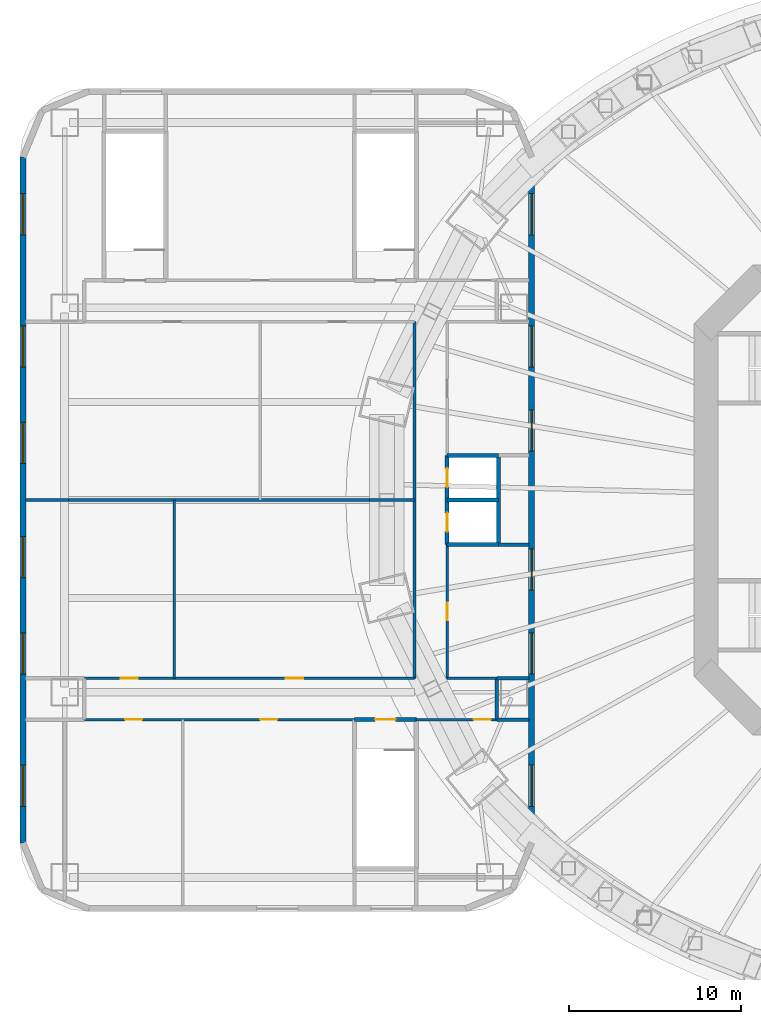
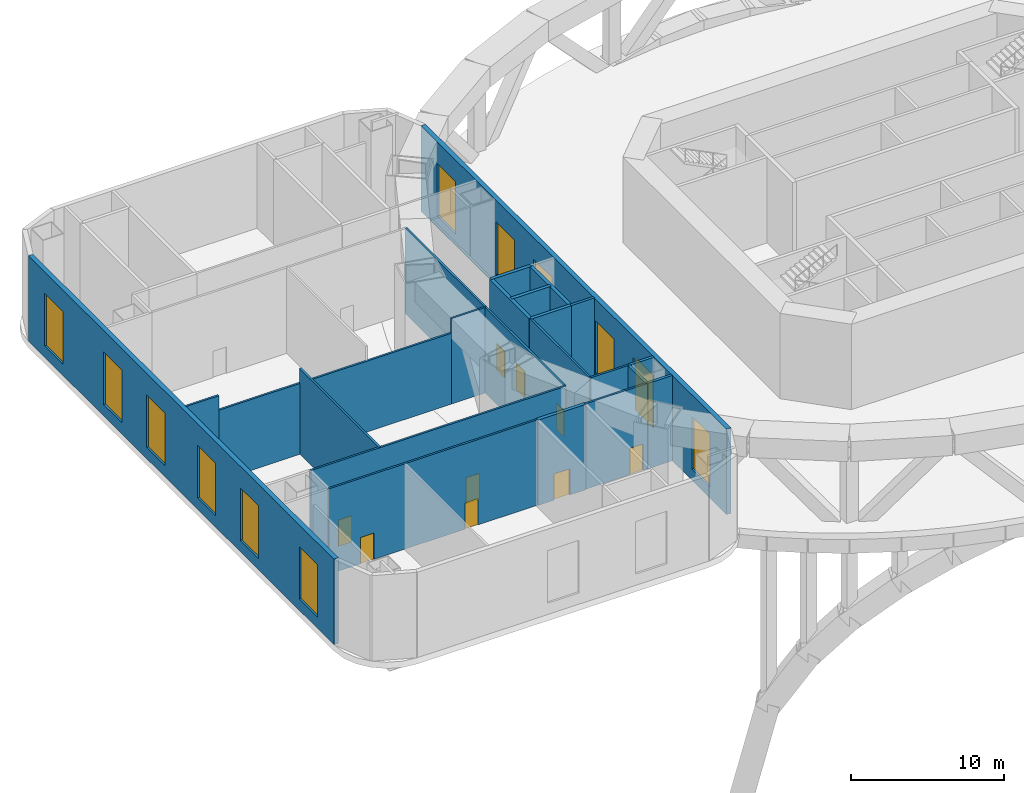
# One storey, part 7 of 13: 22 walls, 12 windows, 9 doors, 21 openings.
"""IFC4 building model written with IfcOpenShell, lengths in metres."""

import ifcopenshell
import ifcopenshell.guid

model = None  # the IFC model being written
_history = None  # IfcOwnerHistory: only IFC2X3 demands one
_inside = {}  # id of a spatial element -> (the spatial element, [elements in it])
_under = {}  # id of a project, library or spatial element -> (it, [spatial elements below it])
_declared = {}  # id of a project -> (the project, [libraries it declares])
_typed = {}  # id of a type object -> (the type object, [elements of that type])
_made_of = {}  # id of a material, layer set ... -> (it, [elements and type objects made of it])


def new_model(schema):
    """Start an empty IFC model of exactly this schema.

    Asked for "IFC4X3", IfcOpenShell would pick the latest addendum, in which some entities
    have other attributes; the version numbers below select the first issue.
    IFC2X3 requires an IfcOwnerHistory on every rooted entity: one is made here for all.
    """
    global model, _history
    if schema == "IFC4X3":
        model = ifcopenshell.file(schema_version=(4, 3, 0, 0))
    else:
        model = ifcopenshell.file(schema=schema)
    _inside.clear()
    _under.clear()
    _declared.clear()
    _typed.clear()
    _made_of.clear()
    _history = None
    if model.schema == "IFC2X3":
        org = make("IfcOrganization", Name="unknown")
        user = make(
            "IfcPersonAndOrganization",
            ThePerson=make("IfcPerson", FamilyName="unknown"),
            TheOrganization=org,
        )
        app = make(
            "IfcApplication",
            ApplicationDeveloper=org,
            Version="unknown",
            ApplicationFullName="unknown",
            ApplicationIdentifier="unknown",
        )
        _history = make(
            "IfcOwnerHistory",
            OwningUser=user,
            OwningApplication=app,
            ChangeAction="ADDED",
            CreationDate=0,
        )
    return model


def make(cls, **values):
    """One entity of the class cls with the attributes given. An attribute that is None is left unset."""
    return model.create_entity(
        cls, **{name: value for name, value in values.items() if value is not None}
    )


def rooted(cls, **values):
    """An entity with a GlobalId (a new one), such as an element, a storey or a relation."""
    return make(cls, GlobalId=ifcopenshell.guid.new(), OwnerHistory=_history, **values)


def si_unit(unit_type, name, prefix=None):
    """IfcSIUnit, for example si_unit("LENGTHUNIT", "METRE", prefix="MILLI")."""
    return make("IfcSIUnit", UnitType=unit_type, Prefix=prefix, Name=name)


def assignment(units):
    """IfcUnitAssignment: the units of a project."""
    return None if units is None else make("IfcUnitAssignment", Units=units)


def point(xyz):
    """IfcCartesianPoint."""
    return None if xyz is None else make("IfcCartesianPoint", Coordinates=xyz)


def direction(xyz):
    """IfcDirection."""
    return None if xyz is None else make("IfcDirection", DirectionRatios=xyz)


def frame(location, z_axis=None, x_axis=None):
    """IfcAxis2Placement3D, a coordinate frame: its origin and axes. An axis left out is left unset."""
    return make(
        "IfcAxis2Placement3D",
        Location=point(location),
        Axis=direction(z_axis),
        RefDirection=direction(x_axis),
    )


def frame_2d(location, x_axis=None):
    """IfcAxis2Placement2D, a coordinate frame in the plane: its origin and x axis."""
    return make(
        "IfcAxis2Placement2D", Location=point(location), RefDirection=direction(x_axis)
    )


def origin():
    """The frame at (0, 0, 0) with its axes left unset."""
    return frame((0.0, 0.0, 0.0))


def place(relative_to, where):
    """IfcLocalPlacement: puts the frame where relative to a parent placement (None: the world)."""
    return make(
        "IfcLocalPlacement", PlacementRelTo=relative_to, RelativePlacement=where
    )


def context(
    kind, dimensions, precision=None, world=None, true_north=None, identifier=None
):
    """IfcGeometricRepresentationContext, for example the 3D "Model" context."""
    return make(
        "IfcGeometricRepresentationContext",
        ContextIdentifier=identifier,
        ContextType=kind,
        CoordinateSpaceDimension=dimensions,
        Precision=precision,
        WorldCoordinateSystem=world,
        TrueNorth=true_north,
    )


def subcontext(parent, identifier, kind, view, scale=None):
    """IfcGeometricRepresentationSubContext, for example "Body" below "Model"."""
    return make(
        "IfcGeometricRepresentationSubContext",
        ContextIdentifier=identifier,
        ContextType=kind,
        ParentContext=parent,
        TargetScale=scale,
        TargetView=view,
    )


def project(units=None, contexts=None):
    """IfcProject with its units and contexts."""
    return rooted(
        "IfcProject",
        Name="project",
        RepresentationContexts=contexts,
        UnitsInContext=assignment(units),
    )


def spatial(cls, under=None, at=None, **own):
    """A site, building, storey or space (cls), placed at a placement, below another one or the project."""
    s = rooted(cls, ObjectPlacement=at, **own)
    if under is not None:
        _under.setdefault(under.id(), (under, []))[1].append(s)
    return s


def profile(cls, at=None, kind="AREA", **sizes):
    """A parametric profile (cls). Its sizes go by their IFC names, for example OverallWidth=200.0."""
    return make(cls, ProfileType=kind, Position=at, **sizes)


def rectangle(**sizes):
    """IfcRectangleProfileDef."""
    return profile("IfcRectangleProfileDef", **sizes)


def extrude(swept, where, along, depth):
    """IfcExtrudedAreaSolid: the profile swept, set in the frame where, extruded along a direction by depth."""
    return make(
        "IfcExtrudedAreaSolid",
        SweptArea=swept,
        Position=where,
        ExtrudedDirection=direction(along),
        Depth=depth,
    )


def shape(context_of_items, identifier, shape_type, items):
    """IfcShapeRepresentation: the items that make up one representation, for example the "Body"."""
    return make(
        "IfcShapeRepresentation",
        ContextOfItems=context_of_items,
        RepresentationIdentifier=identifier,
        RepresentationType=shape_type,
        Items=items,
    )


def material(Name=None, Category=None):
    """IfcMaterial."""
    return make("IfcMaterial", Name=Name, Category=Category)


def layer(
    of_material, thickness, ventilated=None, Name=None, Category=None, Priority=None
):
    """IfcMaterialLayer: one layer of a wall or slab, of a material (None: an air gap)."""
    return make(
        "IfcMaterialLayer",
        Material=of_material,
        LayerThickness=thickness,
        IsVentilated=ventilated,
        Name=Name,
        Category=Category,
        Priority=Priority,
    )


def layer_set(layers, Name=None):
    """IfcMaterialLayerSet."""
    return make("IfcMaterialLayerSet", MaterialLayers=layers, LayerSetName=Name)


def made_of(thing, what):
    """Note that an element or type object is made of a material, layer set ...; save() writes the relation."""
    if what is not None:
        _made_of.setdefault(what.id(), (what, []))[1].append(thing)
    return thing


def type_object(cls, material=None, **own):
    """A type object (cls), such as IfcWallType, which elements share."""
    return made_of(rooted(cls, **own), material)


def element(
    cls,
    number,
    at=None,
    inside=None,
    cuts=None,
    type_object=None,
    material=None,
    context=None,
    identifier="Body",
    shape_type=None,
    held_by="IfcProductDefinitionShape",
    body=None,
    shapes=None,
    **own,
):
    """One element of the class cls, such as IfcWall. Its Tag is "e" and its number.

    at: its placement. inside: the storey or other place that contains it. cuts: it is an
    opening in that element (IfcRelVoidsElement). A single representation is given by context,
    identifier, shape_type and body (its items); several are given by shapes. held_by: the class
    of the entity that holds the representations. save() writes the other relations.
    """
    e = rooted(cls, Tag="e%d" % number, ObjectPlacement=at, **own)
    if body is not None:
        shapes = [shape(context, identifier, shape_type, body)]
    if shapes is not None:
        e.Representation = make(held_by, Representations=shapes)
    if inside is not None:
        _inside.setdefault(inside.id(), (inside, []))[1].append(e)
    if cuts is not None:
        rooted(
            "IfcRelVoidsElement", RelatingBuildingElement=cuts, RelatedOpeningElement=e
        )
    if type_object is not None:
        _typed.setdefault(type_object.id(), (type_object, []))[1].append(e)
    return made_of(e, material)


def fill(opening, filler):
    """IfcRelFillsElement: the door or window that sits in an opening."""
    return rooted(
        "IfcRelFillsElement",
        RelatingOpeningElement=opening,
        RelatedBuildingElement=filler,
    )


def aggregate(whole, parts):
    """IfcRelAggregates: a whole, such as a stair, and the parts it consists of."""
    return rooted("IfcRelAggregates", RelatingObject=whole, RelatedObjects=parts)


def save(model, path):
    """Write the relations noted so far, then the file.

    IfcRelAggregates (storeys below a building ...), IfcRelContainedInSpatialStructure (elements
    in a storey), IfcRelDefinesByType, IfcRelAssociatesMaterial and IfcRelDeclares: one each for
    every whole, place, type object, material and project.
    """
    for whole, parts in _under.values():
        aggregate(whole, parts)
    for where, things in _inside.values():
        rooted(
            "IfcRelContainedInSpatialStructure",
            RelatedElements=things,
            RelatingStructure=where,
        )
    for kind, things in _typed.values():
        rooted("IfcRelDefinesByType", RelatedObjects=things, RelatingType=kind)
    for what, things in _made_of.values():
        rooted("IfcRelAssociatesMaterial", RelatedObjects=things, RelatingMaterial=what)
    for by, libraries in _declared.values():
        rooted("IfcRelDeclares", RelatingContext=by, RelatedDefinitions=libraries)
    model.write(path)


model = new_model("IFC4")

# Units and contexts
model_context = context("Model", 3, precision=1e-05, world=origin(), true_north=direction((0.0, 1.0)))
body_context = subcontext(model_context, "Body", "Model", "MODEL_VIEW")
ifc_project = project(units=[si_unit("LENGTHUNIT", "METRE"), si_unit("AREAUNIT", "SQUARE_METRE"), si_unit("VOLUMEUNIT", "CUBIC_METRE"), si_unit("PLANEANGLEUNIT", "RADIAN"), si_unit("MASSUNIT", "GRAM", prefix="KILO")], contexts=[model_context])

# Site, building, storey
site_placement = place(None, origin())
site = spatial("IfcSite", under=ifc_project, at=site_placement, CompositionType="ELEMENT")
building_placement = place(site_placement, origin())
building = spatial("IfcBuilding", under=site, at=building_placement, Name="Marenthal Gate Tower", CompositionType="ELEMENT")
storey_placement = place(building_placement, frame((0.0, 0.0, 26.0)))
storey = spatial("IfcBuildingStorey", under=building, at=storey_placement, Name="L03", CompositionType="ELEMENT", Elevation=26.0)

# Walls
ifc_material_1 = material(Name="Concrete 40 MPa", Category="concrete")
ifc_layer_1 = layer(ifc_material_1, 0.25)
ifc_layer_set_1 = layer_set([ifc_layer_1], Name="Hoistway wall 250")
wall_type_1 = type_object("IfcWallType", Name="Hoistway wall 250", PredefinedType="STANDARD", material=ifc_layer_set_1)
for number, where, z_axis, x_axis, name in (
    (1, (-31.10009765625, -2.60009765625, 0.0), (0.0, 0.0, 1.0), (1.0, 0.0, 0.0), "Hoistway wall 36"),
    (2, (-31.10009765625, 0.0, 0.0), (0.0, 0.0, 1.0), (1.0, 0.0, 0.0), "Hoistway wall 38"),
    (3, (-31.10009765625, 2.60009765625, 0.0), (0.0, 0.0, 1.0), (1.0, 0.0, 0.0), "Hoistway wall 40"),
):
    element("IfcWall", number, at=place(storey_placement, frame(where, z_axis=z_axis, x_axis=x_axis)), inside=storey, type_object=wall_type_1, Name=name, PredefinedType="STANDARD", context=body_context, shape_type="SweptSolid", body=[
        extrude(rectangle(XDim=3.0, YDim=0.25, at=frame_2d((1.5, 0.0))), origin(), (0.0, 0.0, 1.0), 6.820068359375),
    ])
wall_1_placement = place(storey_placement, frame((-28.10009765625, -2.60009765625, 0.0), z_axis=(0.0, 0.0, 1.0), x_axis=(0.0, 1.0, 0.0)))
element("IfcWall", 4, at=wall_1_placement, inside=storey, type_object=wall_type_1, Name="Hoistway wall 44", PredefinedType="STANDARD", context=body_context, shape_type="SweptSolid", body=[
    extrude(rectangle(XDim=5.2001953125, YDim=0.25, at=frame_2d((2.60009765625, 0.0))), origin(), (0.0, 0.0, 1.0), 6.820068359375),
])

# Wall, openings, doors
wall_2_placement = place(storey_placement, frame((-31.10009765625, -2.60009765625, 0.0), z_axis=(0.0, 0.0, 1.0), x_axis=(0.0, 1.0, 0.0)))
wall_2 = element("IfcWall", 5, at=wall_2_placement, inside=storey, type_object=wall_type_1, Name="Hoistway wall 45", PredefinedType="STANDARD", context=body_context, shape_type="SweptSolid", body=[
    extrude(rectangle(XDim=5.2001953125, YDim=0.25, at=frame_2d((2.60009765625, 0.0))), origin(), (0.0, 0.0, 1.0), 6.820068359375),
])
opening_1_placement = place(wall_2_placement, frame((0.75, 0.0, 0.0)))
opening_1 = element("IfcOpeningElement", 6, at=opening_1_placement, cuts=wall_2, Name="Opening LD.03", PredefinedType="OPENING", context=body_context, shape_type="SweptSolid", body=[
    extrude(rectangle(XDim=1.10009765625, YDim=2.10009765625, at=frame_2d((0.550048828125, 1.050048828125))), frame((0.0, 0.135009765625, 0.0), z_axis=(0.0, -1.0, 0.0), x_axis=(1.0, 0.0, 0.0)), (0.0, 0.0, 1.0), 0.27001953125),
])
opening_2_placement = place(wall_2_placement, frame((3.35009765625, 0.0, 0.0)))
opening_2 = element("IfcOpeningElement", 7, at=opening_2_placement, cuts=wall_2, Name="Opening LD.04", PredefinedType="OPENING", context=body_context, shape_type="SweptSolid", body=[
    extrude(rectangle(XDim=1.10009765625, YDim=2.10009765625, at=frame_2d((0.550048828125, 1.050048828125))), frame((0.0, 0.135009765625, 0.0), z_axis=(0.0, -1.0, 0.0), x_axis=(1.0, 0.0, 0.0)), (0.0, 0.0, 1.0), 0.27001953125),
])
ifc_material_2 = material(Name="Stainless steel sliding door", Category="steel")
door_type_1 = type_object("IfcDoorType", Name="Lift landing door FD 90 1100 x 2100", OperationType="DOUBLE_DOOR_SLIDING", PredefinedType="DOOR", material=ifc_material_2)
door_1_placement = place(opening_1_placement, origin())
door_1 = element("IfcDoor", 8, at=door_1_placement, inside=storey, type_object=door_type_1, Name="Lift landing door 03", OperationType="DOUBLE_DOOR_SLIDING", OverallHeight=2.10009765625, OverallWidth=1.10009765625, PredefinedType="DOOR", context=body_context, shape_type="SweptSolid", body=[
    extrude(rectangle(XDim=1.10009765625, YDim=2.10009765625, at=frame_2d((0.550048828125, 1.050048828125))), frame((0.0, 0.02490234375, 0.0), z_axis=(0.0, -1.0, 0.0), x_axis=(1.0, 0.0, 0.0)), (0.0, 0.0, 1.0), 0.050048828125),
])
fill(opening_1, door_1)
door_2_placement = place(opening_2_placement, origin())
door_2 = element("IfcDoor", 9, at=door_2_placement, inside=storey, type_object=door_type_1, Name="Lift landing door 04", OperationType="DOUBLE_DOOR_SLIDING", OverallHeight=2.10009765625, OverallWidth=1.10009765625, PredefinedType="DOOR", context=body_context, shape_type="SweptSolid", body=[
    extrude(rectangle(XDim=1.10009765625, YDim=2.10009765625, at=frame_2d((0.550048828125, 1.050048828125))), frame((0.0, 0.02490234375, 0.0), z_axis=(0.0, -1.0, 0.0), x_axis=(1.0, 0.0, 0.0)), (0.0, 0.0, 1.0), 0.050048828125),
])
fill(opening_2, door_2)

ifc_material_3 = material(Name="Gypsum board on steel studs", Category="steel")
ifc_layer_2 = layer(ifc_material_3, 0.14990234375)
ifc_layer_set_2 = layer_set([ifc_layer_2], Name="Partition 150")
wall_type_2 = type_object("IfcWallType", Name="Partition 150", PredefinedType="PARTITIONING", material=ifc_layer_set_2)
wall_3_placement = place(storey_placement, frame((-52.25, -12.800048828125, 0.0), z_axis=(0.0, 0.0, 1.0), x_axis=(1.0, 0.0, 0.0)))
wall_3 = element("IfcWall", 10, at=wall_3_placement, inside=storey, type_object=wall_type_2, Name="Partition wall 46", PredefinedType="PARTITIONING", context=body_context, shape_type="SweptSolid", body=[
    extrude(rectangle(XDim=15.7548828125, YDim=0.14990234375, at=frame_2d((7.87744140625, 0.0))), origin(), (0.0, 0.0, 1.0), 6.820068359375),
])
opening_3_placement = place(wall_3_placement, frame((10.25, 0.0, 0.0)))
opening_3 = element("IfcOpeningElement", 11, at=opening_3_placement, cuts=wall_3, Name="Opening D005.17", PredefinedType="OPENING", context=body_context, shape_type="SweptSolid", body=[
    extrude(rectangle(XDim=1.0, YDim=2.10009765625, at=frame_2d((0.5, 1.050048828125))), frame((0.0, 0.0849609375, 0.0), z_axis=(0.0, -1.0, 0.0), x_axis=(1.0, 0.0, 0.0)), (0.0, 0.0, 1.0), 0.169921875),
])
opening_4_placement = place(wall_3_placement, frame((2.37255859375, 0.0, 0.0)))
opening_4 = element("IfcOpeningElement", 12, at=opening_4_placement, cuts=wall_3, Name="Opening D005.18", PredefinedType="OPENING", context=body_context, shape_type="SweptSolid", body=[
    extrude(rectangle(XDim=1.0, YDim=2.10009765625, at=frame_2d((0.5, 1.050048828125))), frame((0.0, 0.0849609375, 0.0), z_axis=(0.0, -1.0, 0.0), x_axis=(1.0, 0.0, 0.0)), (0.0, 0.0, 1.0), 0.169921875),
])
ifc_material_4 = material(Name="Steel fire door", Category="steel")
door_type_2 = type_object("IfcDoorType", Name="Fire door FD 45 1000 x 2100", OperationType="NOTDEFINED", PredefinedType="DOOR", material=ifc_material_4)
door_3_placement = place(opening_3_placement, frame((1.0, 0.0, 0.0), z_axis=(0.0, 0.0, 1.0), x_axis=(-1.0, 0.0, 0.0)))
door_3 = element("IfcDoor", 13, at=door_3_placement, inside=storey, type_object=door_type_2, Name="Door D005.17", OperationType="SINGLE_SWING_LEFT", OverallHeight=2.10009765625, OverallWidth=1.0, PredefinedType="DOOR", context=body_context, shape_type="SweptSolid", body=[
    extrude(rectangle(XDim=1.0, YDim=2.10009765625, at=frame_2d((0.5, 1.050048828125))), frame((0.0, 0.02490234375, 0.0), z_axis=(0.0, -1.0, 0.0), x_axis=(1.0, 0.0, 0.0)), (0.0, 0.0, 1.0), 0.050048828125),
])
fill(opening_3, door_3)
door_4_placement = place(opening_4_placement, frame((1.0, 0.0, 0.0), z_axis=(0.0, 0.0, 1.0), x_axis=(-1.0, 0.0, 0.0)))
door_4 = element("IfcDoor", 14, at=door_4_placement, inside=storey, type_object=door_type_2, Name="Door D005.18", OperationType="SINGLE_SWING_LEFT", OverallHeight=2.10009765625, OverallWidth=1.0, PredefinedType="DOOR", context=body_context, shape_type="SweptSolid", body=[
    extrude(rectangle(XDim=1.0, YDim=2.10009765625, at=frame_2d((0.5, 1.050048828125))), frame((0.0, 0.02490234375, 0.0), z_axis=(0.0, -1.0, 0.0), x_axis=(1.0, 0.0, 0.0)), (0.0, 0.0, 1.0), 0.050048828125),
])
fill(opening_4, door_4)

# Wall, opening, door
wall_4_placement = place(storey_placement, frame((-32.905029296875, -12.800048828125, 0.0), z_axis=(0.0, 0.0, 1.0), x_axis=(1.0, 0.0, 0.0)))
wall_4 = element("IfcWall", 15, at=wall_4_placement, inside=storey, type_object=wall_type_2, Name="Partition wall 47", PredefinedType="PARTITIONING", context=body_context, shape_type="SweptSolid", body=[
    extrude(rectangle(XDim=4.705078125, YDim=0.14990234375, at=frame_2d((2.3525390625, 0.0))), origin(), (0.0, 0.0, 1.0), 6.820068359375),
])
opening_5_placement = place(wall_4_placement, frame((3.357421875, 0.0, 0.0)))
opening_5 = element("IfcOpeningElement", 16, at=opening_5_placement, cuts=wall_4, Name="Opening D005.22", PredefinedType="OPENING", context=body_context, shape_type="SweptSolid", body=[
    extrude(rectangle(XDim=1.0, YDim=2.10009765625, at=frame_2d((0.5, 1.050048828125))), frame((0.0, 0.0849609375, 0.0), z_axis=(0.0, -1.0, 0.0), x_axis=(1.0, 0.0, 0.0)), (0.0, 0.0, 1.0), 0.169921875),
])
door_5_placement = place(opening_5_placement, frame((1.0, 0.0, 0.0), z_axis=(0.0, 0.0, 1.0), x_axis=(-1.0, 0.0, 0.0)))
door_5 = element("IfcDoor", 17, at=door_5_placement, inside=storey, type_object=door_type_2, Name="Door D005.22", OperationType="SINGLE_SWING_LEFT", OverallHeight=2.10009765625, OverallWidth=1.0, PredefinedType="DOOR", context=body_context, shape_type="SweptSolid", body=[
    extrude(rectangle(XDim=1.0, YDim=2.10009765625, at=frame_2d((0.5, 1.050048828125))), frame((0.0, 0.02490234375, 0.0), z_axis=(0.0, -1.0, 0.0), x_axis=(1.0, 0.0, 0.0)), (0.0, 0.0, 1.0), 0.050048828125),
])
fill(opening_5, door_5)

# Wall, openings, doors
wall_5_placement = place(storey_placement, frame((-52.25, -10.39990234375, 0.0), z_axis=(0.0, 0.0, 1.0), x_axis=(1.0, 0.0, 0.0)))
wall_5 = element("IfcWall", 18, at=wall_5_placement, inside=storey, type_object=wall_type_2, Name="Partition wall 50", PredefinedType="PARTITIONING", context=body_context, shape_type="SweptSolid", body=[
    extrude(rectangle(XDim=19.2548828125, YDim=0.14990234375, at=frame_2d((9.62744140625, 0.0))), origin(), (0.0, 0.0, 1.0), 6.820068359375),
])
opening_6_placement = place(wall_5_placement, frame((11.75, 0.0, 0.0)))
opening_6 = element("IfcOpeningElement", 19, at=opening_6_placement, cuts=wall_5, Name="Opening D005.15", PredefinedType="OPENING", context=body_context, shape_type="SweptSolid", body=[
    extrude(rectangle(XDim=1.0, YDim=2.10009765625, at=frame_2d((0.5, 1.050048828125))), frame((0.0, 0.0849609375, 0.0), z_axis=(0.0, -1.0, 0.0), x_axis=(1.0, 0.0, 0.0)), (0.0, 0.0, 1.0), 0.169921875),
])
opening_7_placement = place(wall_5_placement, frame((2.12255859375, 0.0, 0.0)))
opening_7 = element("IfcOpeningElement", 20, at=opening_7_placement, cuts=wall_5, Name="Opening D005.16", PredefinedType="OPENING", context=body_context, shape_type="SweptSolid", body=[
    extrude(rectangle(XDim=1.0, YDim=2.10009765625, at=frame_2d((0.5, 1.050048828125))), frame((0.0, 0.0849609375, 0.0), z_axis=(0.0, -1.0, 0.0), x_axis=(1.0, 0.0, 0.0)), (0.0, 0.0, 1.0), 0.169921875),
])
door_6_placement = place(opening_6_placement, origin())
door_6 = element("IfcDoor", 21, at=door_6_placement, inside=storey, type_object=door_type_2, Name="Door D005.15", OperationType="SINGLE_SWING_RIGHT", OverallHeight=2.10009765625, OverallWidth=1.0, PredefinedType="DOOR", context=body_context, shape_type="SweptSolid", body=[
    extrude(rectangle(XDim=1.0, YDim=2.10009765625, at=frame_2d((0.5, 1.050048828125))), frame((0.0, 0.02490234375, 0.0), z_axis=(0.0, -1.0, 0.0), x_axis=(1.0, 0.0, 0.0)), (0.0, 0.0, 1.0), 0.050048828125),
])
fill(opening_6, door_6)
door_7_placement = place(opening_7_placement, origin())
door_7 = element("IfcDoor", 22, at=door_7_placement, inside=storey, type_object=door_type_2, Name="Door D005.16", OperationType="SINGLE_SWING_RIGHT", OverallHeight=2.10009765625, OverallWidth=1.0, PredefinedType="DOOR", context=body_context, shape_type="SweptSolid", body=[
    extrude(rectangle(XDim=1.0, YDim=2.10009765625, at=frame_2d((0.5, 1.050048828125))), frame((0.0, 0.02490234375, 0.0), z_axis=(0.0, -1.0, 0.0), x_axis=(1.0, 0.0, 0.0)), (0.0, 0.0, 1.0), 0.050048828125),
])
fill(opening_7, door_7)

# Walls
wall_6_placement = place(storey_placement, frame((-31.10498046875, -10.39990234375, 0.0), z_axis=(0.0, 0.0, 1.0), x_axis=(1.0, 0.0, 0.0)))
element("IfcWall", 23, at=wall_6_placement, inside=storey, type_object=wall_type_2, Name="Partition wall 51", PredefinedType="PARTITIONING", context=body_context, shape_type="SweptSolid", body=[
    extrude(rectangle(XDim=2.905029296875, YDim=0.14990234375, at=frame_2d((1.45263671875, 0.0))), origin(), (0.0, 0.0, 1.0), 6.820068359375),
])
wall_7_placement = place(storey_placement, frame((-55.669921875, 0.0, 0.0), z_axis=(0.0, 0.0, 1.0), x_axis=(1.0, 0.0, 0.0)))
element("IfcWall", 24, at=wall_7_placement, inside=storey, type_object=wall_type_2, Name="Partition wall 54", PredefinedType="PARTITIONING", context=body_context, shape_type="SweptSolid", body=[
    extrude(rectangle(XDim=2.494873046875, YDim=0.14990234375, at=frame_2d((1.24755859375, 0.0))), origin(), (0.0, 0.0, 1.0), 6.820068359375),
])
wall_8_placement = place(storey_placement, frame((-53.175048828125, 0.0, 0.0), z_axis=(0.0, 0.0, 1.0), x_axis=(1.0, 0.0, 0.0)))
element("IfcWall", 25, at=wall_8_placement, inside=storey, type_object=wall_type_2, Name="Partition wall 146", PredefinedType="PARTITIONING", context=body_context, shape_type="SweptSolid", body=[
    extrude(rectangle(XDim=17.553466796875, YDim=0.14990234375, at=frame_2d((8.77685546875, 0.0))), origin(), (0.0, 0.0, 1.0), 5.659912109375),
])
wall_9_placement = place(storey_placement, frame((-35.62158203125, 0.0, 0.0), z_axis=(0.0, 0.0, 1.0), x_axis=(1.0, 0.0, 0.0)))
element("IfcWall", 26, at=wall_9_placement, inside=storey, type_object=wall_type_2, Name="Partition wall 147", PredefinedType="PARTITIONING", context=body_context, shape_type="SweptSolid", body=[
    extrude(rectangle(XDim=2.62158203125, YDim=0.14990234375, at=frame_2d((1.310791015625, 0.0))), origin(), (0.0, 0.0, 1.0), 6.820068359375),
])

# Wall, opening, door
wall_10_placement = place(storey_placement, frame((-31.10009765625, -10.39990234375, 0.0), z_axis=(0.0, 0.0, 1.0), x_axis=(0.0, 1.0, 0.0)))
wall_10 = element("IfcWall", 27, at=wall_10_placement, inside=storey, type_object=wall_type_2, Name="Partition wall 70", PredefinedType="PARTITIONING", context=body_context, shape_type="SweptSolid", body=[
    extrude(rectangle(XDim=7.804931640625, YDim=0.14990234375, at=frame_2d((3.90234375, 0.0))), origin(), (0.0, 0.0, 1.0), 6.820068359375),
])
opening_8_placement = place(wall_10_placement, frame((3.39990234375, 0.0, 0.0)))
opening_8 = element("IfcOpeningElement", 28, at=opening_8_placement, cuts=wall_10, Name="Opening D005.20", PredefinedType="OPENING", context=body_context, shape_type="SweptSolid", body=[
    extrude(rectangle(XDim=1.0, YDim=2.10009765625, at=frame_2d((0.5, 1.050048828125))), frame((0.0, 0.0849609375, 0.0), z_axis=(0.0, -1.0, 0.0), x_axis=(1.0, 0.0, 0.0)), (0.0, 0.0, 1.0), 0.169921875),
])
door_8_placement = place(opening_8_placement, frame((1.0, 0.0, 0.0), z_axis=(0.0, 0.0, 1.0), x_axis=(-1.0, 0.0, 0.0)))
door_8 = element("IfcDoor", 29, at=door_8_placement, inside=storey, type_object=door_type_2, Name="Door D005.20", OperationType="SINGLE_SWING_LEFT", OverallHeight=2.10009765625, OverallWidth=1.0, PredefinedType="DOOR", context=body_context, shape_type="SweptSolid", body=[
    extrude(rectangle(XDim=1.0, YDim=2.10009765625, at=frame_2d((0.5, 1.050048828125))), frame((0.0, 0.02490234375, 0.0), z_axis=(0.0, -1.0, 0.0), x_axis=(1.0, 0.0, 0.0)), (0.0, 0.0, 1.0), 0.050048828125),
])
fill(opening_8, door_8)

# Walls
wall_11_placement = place(storey_placement, frame((-33.0, -10.39990234375, 0.0), z_axis=(0.0, 0.0, 1.0), x_axis=(0.0, 1.0, 0.0)))
element("IfcWall", 30, at=wall_11_placement, inside=storey, type_object=wall_type_2, Name="Partition wall 72", PredefinedType="PARTITIONING", context=body_context, shape_type="SweptSolid", body=[
    extrude(rectangle(XDim=20.7998046875, YDim=0.14990234375, at=frame_2d((10.39990234375, 0.0))), origin(), (0.0, 0.0, 1.0), 6.820068359375),
])
wall_12_placement = place(storey_placement, frame((-47.0, -10.39990234375, 0.0), z_axis=(0.0, 0.0, 1.0), x_axis=(0.0, 1.0, 0.0)))
element("IfcWall", 31, at=wall_12_placement, inside=storey, type_object=wall_type_2, Name="Partition wall 75", PredefinedType="PARTITIONING", context=body_context, shape_type="SweptSolid", body=[
    extrude(rectangle(XDim=10.39990234375, YDim=0.14990234375, at=frame_2d((5.199951171875, 0.0))), origin(), (0.0, 0.0, 1.0), 6.820068359375),
])
ifc_material_5 = material(Name="Gypsum board on steel studs", Category="steel")
ifc_layer_3 = layer(ifc_material_5, 0.199951171875)
ifc_layer_set_3 = layer_set([ifc_layer_3], Name="Partition 200")
wall_type_3 = type_object("IfcWallType", Name="Partition 200", PredefinedType="PARTITIONING", material=ifc_layer_set_3)
for number, where, z_axis, x_axis, name in (
    (32, (-28.203857421875, -12.800048828125, 0.0), (0.0, 0.0, 1.0), (1.0, 0.0, 0.0), "Partition wall 79"),
    (33, (-28.203857421875, -10.39990234375, 0.0), (0.0, 0.0, 1.0), (1.0, 0.0, 0.0), "Partition wall 83"),
):
    element("IfcWall", number, at=place(storey_placement, frame(where, z_axis=z_axis, x_axis=x_axis)), inside=storey, type_object=wall_type_3, Name=name, PredefinedType="PARTITIONING", context=body_context, shape_type="SweptSolid", body=[
        extrude(rectangle(XDim=1.873779296875, YDim=0.199951171875, at=frame_2d((0.93701171875, 0.0))), origin(), (0.0, 0.0, 1.0), 6.820068359375),
    ])
wall_13_placement = place(storey_placement, frame((-28.10009765625, -2.60009765625, 0.0), z_axis=(0.0, 0.0, 1.0), x_axis=(1.0, 0.0, 0.0)))
element("IfcWall", 34, at=wall_13_placement, inside=storey, type_object=wall_type_3, Name="Partition wall 86", PredefinedType="PARTITIONING", context=body_context, shape_type="SweptSolid", body=[
    extrude(rectangle(XDim=1.77001953125, YDim=0.199951171875, at=frame_2d((0.885009765625, 0.0))), origin(), (0.0, 0.0, 1.0), 6.820068359375),
])
wall_14_placement = place(storey_placement, frame((-28.199951171875, -12.800048828125, 0.0), z_axis=(0.0, 0.0, 1.0), x_axis=(0.0, 1.0, 0.0)))
element("IfcWall", 35, at=wall_14_placement, inside=storey, type_object=wall_type_3, Name="Partition wall 11", PredefinedType="PARTITIONING", context=body_context, shape_type="SweptSolid", body=[
    extrude(rectangle(XDim=2.400146484375, YDim=0.199951171875, at=frame_2d((1.2001953125, 0.0))), origin(), (0.0, 0.0, 1.0), 6.820068359375),
])

# Wall, opening, door
ifc_material_6 = material(Name="Concrete 50 MPa", Category="concrete")
ifc_layer_4 = layer(ifc_material_6, 0.25)
ifc_layer_set_4 = layer_set([ifc_layer_4], Name="Stair shear wall 250")
wall_type_4 = type_object("IfcWallType", Name="Stair shear wall 250", PredefinedType="SHEAR", material=ifc_layer_set_4)
wall_15_placement = place(storey_placement, frame((-36.5048828125, -12.800048828125, 0.0), z_axis=(0.0, 0.0, 1.0), x_axis=(1.0, 0.0, 0.0)))
wall_15 = element("IfcWall", 36, at=wall_15_placement, inside=storey, type_object=wall_type_4, Name="Stair wall 24", PredefinedType="SHEAR", context=body_context, shape_type="SweptSolid", body=[
    extrude(rectangle(XDim=3.60986328125, YDim=0.25, at=frame_2d((1.804931640625, 0.0))), origin(), (0.0, 0.0, 1.0), 6.820068359375),
])
opening_9_placement = place(wall_15_placement, frame((1.205078125, 0.0, 0.0)))
opening_9 = element("IfcOpeningElement", 37, at=opening_9_placement, cuts=wall_15, Name="Opening D001.06", PredefinedType="OPENING", context=body_context, shape_type="SweptSolid", body=[
    extrude(rectangle(XDim=1.199951171875, YDim=2.10009765625, at=frame_2d((0.60009765625, 1.050048828125))), frame((0.0, 0.135009765625, 0.0), z_axis=(0.0, -1.0, 0.0), x_axis=(1.0, 0.0, 0.0)), (0.0, 0.0, 1.0), 0.27001953125),
])
ifc_material_7 = material(Name="Steel fire door", Category="steel")
door_type_3 = type_object("IfcDoorType", Name="Fire door FD 90 1200 x 2100", OperationType="NOTDEFINED", PredefinedType="DOOR", material=ifc_material_7)
door_9_placement = place(opening_9_placement, frame((1.199951171875, 0.0, 0.0), z_axis=(0.0, 0.0, 1.0), x_axis=(-1.0, 0.0, 0.0)))
door_9 = element("IfcDoor", 38, at=door_9_placement, inside=storey, type_object=door_type_3, Name="Door D001.06", OperationType="SINGLE_SWING_LEFT", OverallHeight=2.10009765625, OverallWidth=1.199951171875, PredefinedType="DOOR", context=body_context, shape_type="SweptSolid", body=[
    extrude(rectangle(XDim=1.199951171875, YDim=2.10009765625, at=frame_2d((0.60009765625, 1.050048828125))), frame((0.0, 0.02490234375, 0.0), z_axis=(0.0, -1.0, 0.0), x_axis=(1.0, 0.0, 0.0)), (0.0, 0.0, 1.0), 0.050048828125),
])
fill(opening_9, door_9)

# Wall, openings, windows
ifc_material_8 = material(Name="Terracotta cladding on insulated concrete-block backing", Category="masonry")
ifc_layer_5 = layer(ifc_material_8, 0.35009765625)
ifc_layer_set_5 = layer_set([ifc_layer_5], Name="Terracotta cladding wall 350")
wall_type_5 = type_object("IfcWallType", Name="Terracotta cladding wall 350", PredefinedType="SOLIDWALL", material=ifc_layer_set_5)
wall_16_placement = place(storey_placement, frame((-26.175048828125, -19.988525390625, 0.0), z_axis=(0.0, 0.0, 1.0), x_axis=(0.0, 1.0, 0.0)))
wall_16 = element("IfcWall", 39, at=wall_16_placement, inside=storey, type_object=wall_type_5, Name="Terracotta cladding wall L03 W3", PredefinedType="SOLIDWALL", context=body_context, shape_type="SweptSolid", body=[
    extrude(rectangle(XDim=39.97705078125, YDim=0.35009765625, at=frame_2d((19.988525390625, 0.0))), origin(), (0.0, 0.0, 1.0), 6.820068359375),
])
opening_10_placement = place(wall_16_placement, frame((2.13134765625, 0.0, 0.89990234375)))
opening_10 = element("IfcOpeningElement", 40, at=opening_10_placement, cuts=wall_16, Name="Opening WN4-L03-81", PredefinedType="OPENING", context=body_context, shape_type="SweptSolid", body=[
    extrude(rectangle(XDim=2.39990234375, YDim=4.199951171875, at=frame_2d((1.199951171875, 2.10009765625))), frame((0.0, 0.18505859375, 0.0), z_axis=(0.0, -1.0, 0.0), x_axis=(1.0, 0.0, 0.0)), (0.0, 0.0, 1.0), 0.3701171875),
])
opening_11_placement = place(wall_16_placement, frame((9.83837890625, 0.0, 0.89990234375)))
opening_11 = element("IfcOpeningElement", 41, at=opening_11_placement, cuts=wall_16, Name="Opening WN4-L03-82", PredefinedType="OPENING", context=body_context, shape_type="SweptSolid", body=[
    extrude(rectangle(XDim=2.39990234375, YDim=4.199951171875, at=frame_2d((1.199951171875, 2.10009765625))), frame((0.0, 0.18505859375, 0.0), z_axis=(0.0, -1.0, 0.0), x_axis=(1.0, 0.0, 0.0)), (0.0, 0.0, 1.0), 0.3701171875),
])
opening_12_placement = place(wall_16_placement, frame((14.738525390625, 0.0, 0.89990234375)))
opening_12 = element("IfcOpeningElement", 42, at=opening_12_placement, cuts=wall_16, Name="Opening WN4-L03-83", PredefinedType="OPENING", context=body_context, shape_type="SweptSolid", body=[
    extrude(rectangle(XDim=2.39990234375, YDim=4.199951171875, at=frame_2d((1.199951171875, 2.10009765625))), frame((0.0, 0.18505859375, 0.0), z_axis=(0.0, -1.0, 0.0), x_axis=(1.0, 0.0, 0.0)), (0.0, 0.0, 1.0), 0.3701171875),
])
opening_13_placement = place(wall_16_placement, frame((22.83837890625, 0.0, 0.89990234375)))
opening_13 = element("IfcOpeningElement", 43, at=opening_13_placement, cuts=wall_16, Name="Opening WN4-L03-84", PredefinedType="OPENING", context=body_context, shape_type="SweptSolid", body=[
    extrude(rectangle(XDim=2.39990234375, YDim=4.199951171875, at=frame_2d((1.199951171875, 2.10009765625))), frame((0.0, 0.18505859375, 0.0), z_axis=(0.0, -1.0, 0.0), x_axis=(1.0, 0.0, 0.0)), (0.0, 0.0, 1.0), 0.3701171875),
])
opening_14_placement = place(wall_16_placement, frame((27.738525390625, 0.0, 0.89990234375)))
opening_14 = element("IfcOpeningElement", 44, at=opening_14_placement, cuts=wall_16, Name="Opening WN4-L03-85", PredefinedType="OPENING", context=body_context, shape_type="SweptSolid", body=[
    extrude(rectangle(XDim=2.39990234375, YDim=4.199951171875, at=frame_2d((1.199951171875, 2.10009765625))), frame((0.0, 0.18505859375, 0.0), z_axis=(0.0, -1.0, 0.0), x_axis=(1.0, 0.0, 0.0)), (0.0, 0.0, 1.0), 0.3701171875),
])
opening_15_placement = place(wall_16_placement, frame((35.445556640625, 0.0, 0.89990234375)))
opening_15 = element("IfcOpeningElement", 45, at=opening_15_placement, cuts=wall_16, Name="Opening WN4-L03-86", PredefinedType="OPENING", context=body_context, shape_type="SweptSolid", body=[
    extrude(rectangle(XDim=2.39990234375, YDim=4.199951171875, at=frame_2d((1.199951171875, 2.10009765625))), frame((0.0, 0.18505859375, 0.0), z_axis=(0.0, -1.0, 0.0), x_axis=(1.0, 0.0, 0.0)), (0.0, 0.0, 1.0), 0.3701171875),
])
ifc_material_9 = material(Name="Aluminium and laminated impact-rated glass", Category="aluminium")
window_type = type_object("IfcWindowType", Name="Window 2400x4200 impact-rated", PartitioningType="DOUBLE_PANEL_VERTICAL", PredefinedType="WINDOW", material=ifc_material_9)
window_1_placement = place(opening_10_placement, origin())
window_1 = element("IfcWindow", 46, at=window_1_placement, inside=storey, type_object=window_type, Name="Window L03 W3 1", OverallHeight=4.199951171875, OverallWidth=2.39990234375, PartitioningType="SINGLE_PANEL", PredefinedType="WINDOW", context=body_context, shape_type="SweptSolid", body=[
    extrude(rectangle(XDim=2.39990234375, YDim=4.199951171875, at=frame_2d((1.199951171875, 2.10009765625))), frame((0.0, 0.030029296875, 0.0), z_axis=(0.0, -1.0, 0.0), x_axis=(1.0, 0.0, 0.0)), (0.0, 0.0, 1.0), 0.06005859375),
])
fill(opening_10, window_1)
window_2_placement = place(opening_11_placement, origin())
window_2 = element("IfcWindow", 47, at=window_2_placement, inside=storey, type_object=window_type, Name="Window L03 W3 2", OverallHeight=4.199951171875, OverallWidth=2.39990234375, PartitioningType="SINGLE_PANEL", PredefinedType="WINDOW", context=body_context, shape_type="SweptSolid", body=[
    extrude(rectangle(XDim=2.39990234375, YDim=4.199951171875, at=frame_2d((1.199951171875, 2.10009765625))), frame((0.0, 0.030029296875, 0.0), z_axis=(0.0, -1.0, 0.0), x_axis=(1.0, 0.0, 0.0)), (0.0, 0.0, 1.0), 0.06005859375),
])
fill(opening_11, window_2)
window_3_placement = place(opening_12_placement, origin())
window_3 = element("IfcWindow", 48, at=window_3_placement, inside=storey, type_object=window_type, Name="Window L03 W3 3", OverallHeight=4.199951171875, OverallWidth=2.39990234375, PartitioningType="SINGLE_PANEL", PredefinedType="WINDOW", context=body_context, shape_type="SweptSolid", body=[
    extrude(rectangle(XDim=2.39990234375, YDim=4.199951171875, at=frame_2d((1.199951171875, 2.10009765625))), frame((0.0, 0.030029296875, 0.0), z_axis=(0.0, -1.0, 0.0), x_axis=(1.0, 0.0, 0.0)), (0.0, 0.0, 1.0), 0.06005859375),
])
fill(opening_12, window_3)
window_4_placement = place(opening_13_placement, origin())
window_4 = element("IfcWindow", 49, at=window_4_placement, inside=storey, type_object=window_type, Name="Window L03 W3 4", OverallHeight=4.199951171875, OverallWidth=2.39990234375, PartitioningType="SINGLE_PANEL", PredefinedType="WINDOW", context=body_context, shape_type="SweptSolid", body=[
    extrude(rectangle(XDim=2.39990234375, YDim=4.199951171875, at=frame_2d((1.199951171875, 2.10009765625))), frame((0.0, 0.030029296875, 0.0), z_axis=(0.0, -1.0, 0.0), x_axis=(1.0, 0.0, 0.0)), (0.0, 0.0, 1.0), 0.06005859375),
])
fill(opening_13, window_4)
window_5_placement = place(opening_14_placement, origin())
window_5 = element("IfcWindow", 50, at=window_5_placement, inside=storey, type_object=window_type, Name="Window L03 W3 5", OverallHeight=4.199951171875, OverallWidth=2.39990234375, PartitioningType="SINGLE_PANEL", PredefinedType="WINDOW", context=body_context, shape_type="SweptSolid", body=[
    extrude(rectangle(XDim=2.39990234375, YDim=4.199951171875, at=frame_2d((1.199951171875, 2.10009765625))), frame((0.0, 0.030029296875, 0.0), z_axis=(0.0, -1.0, 0.0), x_axis=(1.0, 0.0, 0.0)), (0.0, 0.0, 1.0), 0.06005859375),
])
fill(opening_14, window_5)
window_6_placement = place(opening_15_placement, origin())
window_6 = element("IfcWindow", 51, at=window_6_placement, inside=storey, type_object=window_type, Name="Window L03 W3 6", OverallHeight=4.199951171875, OverallWidth=2.39990234375, PartitioningType="SINGLE_PANEL", PredefinedType="WINDOW", context=body_context, shape_type="SweptSolid", body=[
    extrude(rectangle(XDim=2.39990234375, YDim=4.199951171875, at=frame_2d((1.199951171875, 2.10009765625))), frame((0.0, 0.030029296875, 0.0), z_axis=(0.0, -1.0, 0.0), x_axis=(1.0, 0.0, 0.0)), (0.0, 0.0, 1.0), 0.06005859375),
])
fill(opening_15, window_6)

wall_17_placement = place(storey_placement, frame((-55.824951171875, 19.988525390625, 0.0), z_axis=(0.0, 0.0, 1.0), x_axis=(0.0, -1.0, 0.0)))
wall_17 = element("IfcWall", 52, at=wall_17_placement, inside=storey, type_object=wall_type_5, Name="Terracotta cladding wall L03 W9", PredefinedType="SOLIDWALL", context=body_context, shape_type="SweptSolid", body=[
    extrude(rectangle(XDim=39.97705078125, YDim=0.35009765625, at=frame_2d((19.988525390625, 0.0))), origin(), (0.0, 0.0, 1.0), 6.820068359375),
])
opening_16_placement = place(wall_17_placement, frame((2.13134765625, 0.0, 0.89990234375)))
opening_16 = element("IfcOpeningElement", 53, at=opening_16_placement, cuts=wall_17, Name="Opening WN4-L03-89", PredefinedType="OPENING", context=body_context, shape_type="SweptSolid", body=[
    extrude(rectangle(XDim=2.39990234375, YDim=4.199951171875, at=frame_2d((1.199951171875, 2.10009765625))), frame((0.0, 0.18505859375, 0.0), z_axis=(0.0, -1.0, 0.0), x_axis=(1.0, 0.0, 0.0)), (0.0, 0.0, 1.0), 0.3701171875),
])
opening_17_placement = place(wall_17_placement, frame((9.83837890625, 0.0, 0.89990234375)))
opening_17 = element("IfcOpeningElement", 54, at=opening_17_placement, cuts=wall_17, Name="Opening WN4-L03-90", PredefinedType="OPENING", context=body_context, shape_type="SweptSolid", body=[
    extrude(rectangle(XDim=2.39990234375, YDim=4.199951171875, at=frame_2d((1.199951171875, 2.10009765625))), frame((0.0, 0.18505859375, 0.0), z_axis=(0.0, -1.0, 0.0), x_axis=(1.0, 0.0, 0.0)), (0.0, 0.0, 1.0), 0.3701171875),
])
opening_18_placement = place(wall_17_placement, frame((15.45703125, 0.0, 0.89990234375)))
opening_18 = element("IfcOpeningElement", 55, at=opening_18_placement, cuts=wall_17, Name="Opening WN4-L03-91", PredefinedType="OPENING", context=body_context, shape_type="SweptSolid", body=[
    extrude(rectangle(XDim=2.39990234375, YDim=4.199951171875, at=frame_2d((1.199951171875, 2.10009765625))), frame((0.0, 0.18505859375, 0.0), z_axis=(0.0, -1.0, 0.0), x_axis=(1.0, 0.0, 0.0)), (0.0, 0.0, 1.0), 0.3701171875),
])
opening_19_placement = place(wall_17_placement, frame((22.119873046875, 0.0, 0.89990234375)))
opening_19 = element("IfcOpeningElement", 56, at=opening_19_placement, cuts=wall_17, Name="Opening WN4-L03-92", PredefinedType="OPENING", context=body_context, shape_type="SweptSolid", body=[
    extrude(rectangle(XDim=2.39990234375, YDim=4.199951171875, at=frame_2d((1.199951171875, 2.10009765625))), frame((0.0, 0.18505859375, 0.0), z_axis=(0.0, -1.0, 0.0), x_axis=(1.0, 0.0, 0.0)), (0.0, 0.0, 1.0), 0.3701171875),
])
opening_20_placement = place(wall_17_placement, frame((27.738525390625, 0.0, 0.89990234375)))
opening_20 = element("IfcOpeningElement", 57, at=opening_20_placement, cuts=wall_17, Name="Opening WN4-L03-93", PredefinedType="OPENING", context=body_context, shape_type="SweptSolid", body=[
    extrude(rectangle(XDim=2.39990234375, YDim=4.199951171875, at=frame_2d((1.199951171875, 2.10009765625))), frame((0.0, 0.18505859375, 0.0), z_axis=(0.0, -1.0, 0.0), x_axis=(1.0, 0.0, 0.0)), (0.0, 0.0, 1.0), 0.3701171875),
])
opening_21_placement = place(wall_17_placement, frame((35.445556640625, 0.0, 0.89990234375)))
opening_21 = element("IfcOpeningElement", 58, at=opening_21_placement, cuts=wall_17, Name="Opening WN4-L03-94", PredefinedType="OPENING", context=body_context, shape_type="SweptSolid", body=[
    extrude(rectangle(XDim=2.39990234375, YDim=4.199951171875, at=frame_2d((1.199951171875, 2.10009765625))), frame((0.0, 0.18505859375, 0.0), z_axis=(0.0, -1.0, 0.0), x_axis=(1.0, 0.0, 0.0)), (0.0, 0.0, 1.0), 0.3701171875),
])
window_7_placement = place(opening_16_placement, origin())
window_7 = element("IfcWindow", 59, at=window_7_placement, inside=storey, type_object=window_type, Name="Window L03 W9 1", OverallHeight=4.199951171875, OverallWidth=2.39990234375, PartitioningType="SINGLE_PANEL", PredefinedType="WINDOW", context=body_context, shape_type="SweptSolid", body=[
    extrude(rectangle(XDim=2.39990234375, YDim=4.199951171875, at=frame_2d((1.199951171875, 2.10009765625))), frame((0.0, 0.030029296875, 0.0), z_axis=(0.0, -1.0, 0.0), x_axis=(1.0, 0.0, 0.0)), (0.0, 0.0, 1.0), 0.06005859375),
])
fill(opening_16, window_7)
window_8_placement = place(opening_17_placement, origin())
window_8 = element("IfcWindow", 60, at=window_8_placement, inside=storey, type_object=window_type, Name="Window L03 W9 2", OverallHeight=4.199951171875, OverallWidth=2.39990234375, PartitioningType="SINGLE_PANEL", PredefinedType="WINDOW", context=body_context, shape_type="SweptSolid", body=[
    extrude(rectangle(XDim=2.39990234375, YDim=4.199951171875, at=frame_2d((1.199951171875, 2.10009765625))), frame((0.0, 0.030029296875, 0.0), z_axis=(0.0, -1.0, 0.0), x_axis=(1.0, 0.0, 0.0)), (0.0, 0.0, 1.0), 0.06005859375),
])
fill(opening_17, window_8)
window_9_placement = place(opening_18_placement, origin())
window_9 = element("IfcWindow", 61, at=window_9_placement, inside=storey, type_object=window_type, Name="Window L03 W9 3", OverallHeight=4.199951171875, OverallWidth=2.39990234375, PartitioningType="SINGLE_PANEL", PredefinedType="WINDOW", context=body_context, shape_type="SweptSolid", body=[
    extrude(rectangle(XDim=2.39990234375, YDim=4.199951171875, at=frame_2d((1.199951171875, 2.10009765625))), frame((0.0, 0.030029296875, 0.0), z_axis=(0.0, -1.0, 0.0), x_axis=(1.0, 0.0, 0.0)), (0.0, 0.0, 1.0), 0.06005859375),
])
fill(opening_18, window_9)
window_10_placement = place(opening_19_placement, origin())
window_10 = element("IfcWindow", 62, at=window_10_placement, inside=storey, type_object=window_type, Name="Window L03 W9 4", OverallHeight=4.199951171875, OverallWidth=2.39990234375, PartitioningType="SINGLE_PANEL", PredefinedType="WINDOW", context=body_context, shape_type="SweptSolid", body=[
    extrude(rectangle(XDim=2.39990234375, YDim=4.199951171875, at=frame_2d((1.199951171875, 2.10009765625))), frame((0.0, 0.030029296875, 0.0), z_axis=(0.0, -1.0, 0.0), x_axis=(1.0, 0.0, 0.0)), (0.0, 0.0, 1.0), 0.06005859375),
])
fill(opening_19, window_10)
window_11_placement = place(opening_20_placement, origin())
window_11 = element("IfcWindow", 63, at=window_11_placement, inside=storey, type_object=window_type, Name="Window L03 W9 5", OverallHeight=4.199951171875, OverallWidth=2.39990234375, PartitioningType="SINGLE_PANEL", PredefinedType="WINDOW", context=body_context, shape_type="SweptSolid", body=[
    extrude(rectangle(XDim=2.39990234375, YDim=4.199951171875, at=frame_2d((1.199951171875, 2.10009765625))), frame((0.0, 0.030029296875, 0.0), z_axis=(0.0, -1.0, 0.0), x_axis=(1.0, 0.0, 0.0)), (0.0, 0.0, 1.0), 0.06005859375),
])
fill(opening_20, window_11)
window_12_placement = place(opening_21_placement, origin())
window_12 = element("IfcWindow", 64, at=window_12_placement, inside=storey, type_object=window_type, Name="Window L03 W9 6", OverallHeight=4.199951171875, OverallWidth=2.39990234375, PartitioningType="SINGLE_PANEL", PredefinedType="WINDOW", context=body_context, shape_type="SweptSolid", body=[
    extrude(rectangle(XDim=2.39990234375, YDim=4.199951171875, at=frame_2d((1.199951171875, 2.10009765625))), frame((0.0, 0.030029296875, 0.0), z_axis=(0.0, -1.0, 0.0), x_axis=(1.0, 0.0, 0.0)), (0.0, 0.0, 1.0), 0.06005859375),
])
fill(opening_21, window_12)

save(model, "model.ifc")
